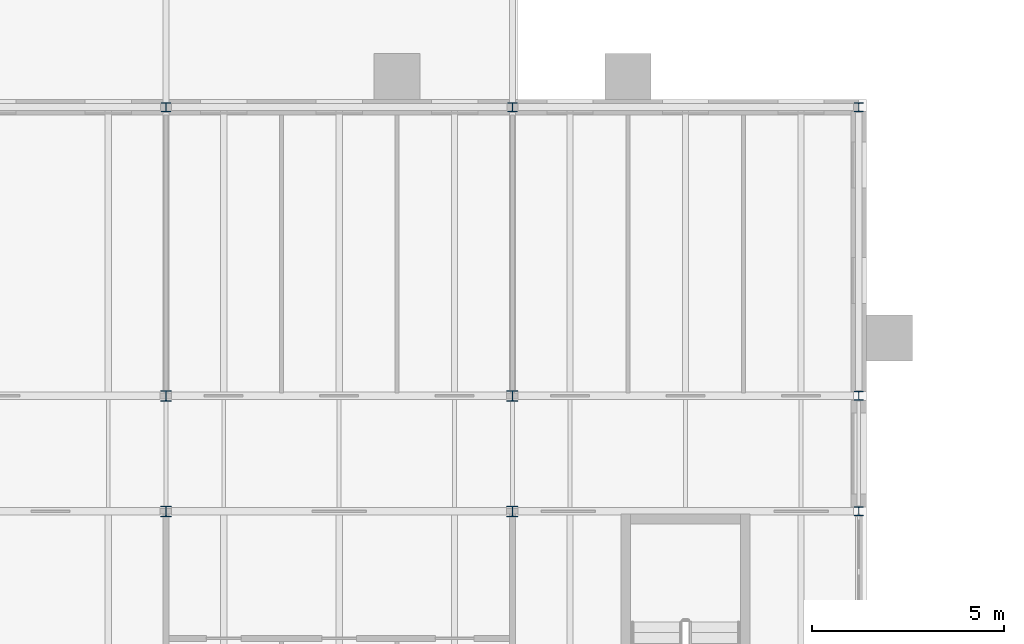
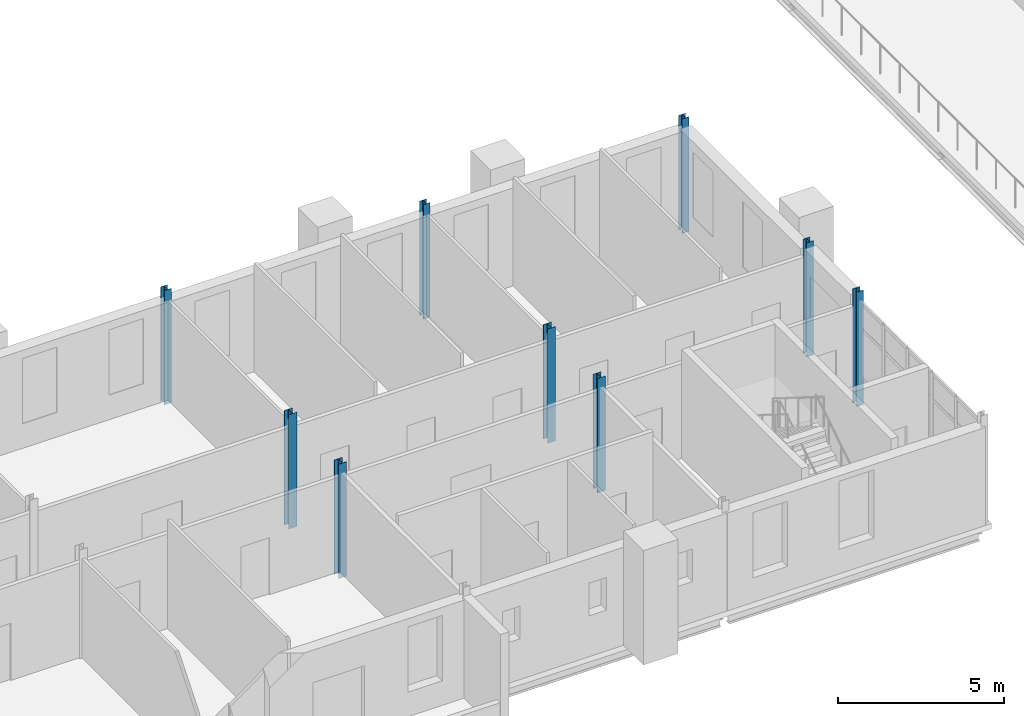
# One storey, part 13 of 154: 9 columns.
"""IFC4 building model written with IfcOpenShell, lengths in metres."""

from ifc_helpers import new_model, si_unit, direction, frame, origin, origin_2d, place, context, subcontext, project, spatial, i_section, extrude, material, material_profile, profile_set, type_object, element, save


model = new_model("IFC4")

# Units and contexts
model_context = context("Model", 3, precision=1e-05, world=origin(), true_north=direction((0.0, 1.0)))
body_context = subcontext(model_context, "Body", "Model", "MODEL_VIEW")
ifc_project = project(units=[si_unit("LENGTHUNIT", "METRE"), si_unit("AREAUNIT", "SQUARE_METRE"), si_unit("VOLUMEUNIT", "CUBIC_METRE"), si_unit("PLANEANGLEUNIT", "RADIAN"), si_unit("MASSUNIT", "GRAM", prefix="KILO")], contexts=[model_context])

# Site, building, storey
site_placement = place(None, origin())
site = spatial("IfcSite", under=ifc_project, at=site_placement, CompositionType="ELEMENT")
building_placement = place(site_placement, origin())
building = spatial("IfcBuilding", under=site, at=building_placement, Name="Golden Quay Civic Hall", CompositionType="ELEMENT")
storey_placement = place(building_placement, frame((0.0, 0.0, 14.39990234375)))
storey = spatial("IfcBuildingStorey", under=building, at=storey_placement, Name="L03", CompositionType="ELEMENT", Elevation=14.39990234375)

# Columns
ifc_material_1 = material(Name="Steel S355", Category="steel")
ifc_material_profile_1 = material_profile(ifc_material_1, i_section(OverallWidth=0.239990234375, OverallDepth=0.22998046875, WebThickness=0.007568359375, FlangeThickness=0.011962890625, FilletRadius=0.02099609375, at=origin_2d()), Name="HEA 240")
ifc_profile_set_1 = profile_set([ifc_material_profile_1], Name="Steel S355")
column_type_1 = type_object("IfcColumnType", Name="Steel column HEA 240", PredefinedType="COLUMN", material=ifc_profile_set_1)
for number, where, z_axis, x_axis, name in (
    (1, (36.0, 81.0, -0.199951171875), (0.0, 0.0, 1.0), (1.0, 0.0, 0.0), "Column 36/81 L03"),
    (2, (45.0, 81.0, -0.199951171875), (0.0, 0.0, 1.0), (1.0, 0.0, 0.0), "Column 45/81 L03"),
    (3, (54.0, 70.5, -0.199951171875), (0.0, 0.0, 1.0), (1.0, 0.0, 0.0), "Column 54/70.5 L03"),
    (4, (54.0, 73.5, -0.199951171875), (0.0, 0.0, 1.0), (1.0, 0.0, 0.0), "Column 54/73.5 L03"),
    (5, (54.0, 81.0, -0.199951171875), (0.0, 0.0, 1.0), (1.0, 0.0, 0.0), "Column 54/81 L03"),
):
    element("IfcColumn", number, at=place(storey_placement, frame(where, z_axis=z_axis, x_axis=x_axis)), inside=storey, type_object=column_type_1, Name=name, PredefinedType="COLUMN", context=body_context, shape_type="SweptSolid", body=[
        extrude(i_section(OverallWidth=0.239990234375, OverallDepth=0.22998046875, WebThickness=0.007568359375, FlangeThickness=0.011962890625, FilletRadius=0.02099609375, at=origin_2d()), origin(), (0.0, 0.0, 1.0), 4.199951171875),
    ])
ifc_material_2 = material(Name="Steel S355", Category="steel")
ifc_material_profile_2 = material_profile(ifc_material_2, i_section(OverallWidth=0.280029296875, OverallDepth=0.27001953125, WebThickness=0.008056640625, FlangeThickness=0.012939453125, FilletRadius=0.02392578125, at=origin_2d()), Name="HEA 280")
ifc_profile_set_2 = profile_set([ifc_material_profile_2], Name="Steel S355")
column_type_2 = type_object("IfcColumnType", Name="Steel column HEA 280", PredefinedType="COLUMN", material=ifc_profile_set_2)
for number, where, z_axis, x_axis, name in (
    (6, (36.0, 70.5, -0.199951171875), (0.0, 0.0, 1.0), (1.0, 0.0, 0.0), "Column 36/70.5 L03"),
    (7, (36.0, 73.5, -0.199951171875), (0.0, 0.0, 1.0), (1.0, 0.0, 0.0), "Column 36/73.5 L03"),
    (8, (45.0, 70.5, -0.199951171875), (0.0, 0.0, 1.0), (1.0, 0.0, 0.0), "Column 45/70.5 L03"),
    (9, (45.0, 73.5, -0.199951171875), (0.0, 0.0, 1.0), (1.0, 0.0, 0.0), "Column 45/73.5 L03"),
):
    element("IfcColumn", number, at=place(storey_placement, frame(where, z_axis=z_axis, x_axis=x_axis)), inside=storey, type_object=column_type_2, Name=name, PredefinedType="COLUMN", context=body_context, shape_type="SweptSolid", body=[
        extrude(i_section(OverallWidth=0.280029296875, OverallDepth=0.27001953125, WebThickness=0.008056640625, FlangeThickness=0.012939453125, FilletRadius=0.02392578125, at=origin_2d()), origin(), (0.0, 0.0, 1.0), 4.199951171875),
    ])

save(model, "model.ifc")
